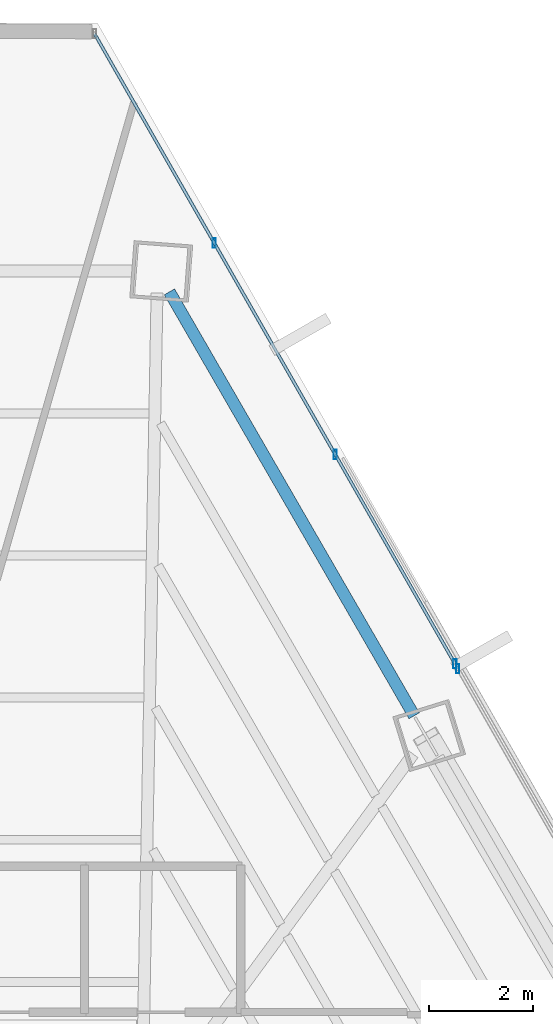
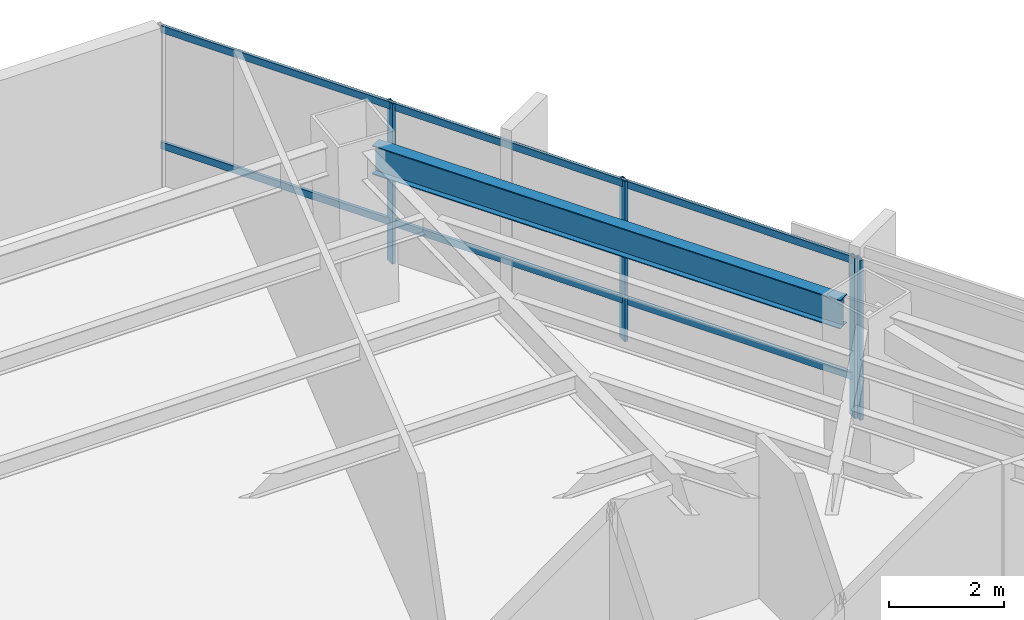
# One storey, part 28 of 35: 6 members, 1 beam, 2 elements without a shape of their own.
"""IFC4 building model written with IfcOpenShell, lengths in metres."""

from ifc_helpers import new_model, si_unit, direction, frame, origin, origin_2d, place, context, subcontext, project, spatial, hollow_rectangle, i_section, extrude, source, transform, mapped, material, material_profile, profile_set, type_object, type_shapes, element, aggregate, save


model = new_model("IFC4")

# Units and contexts
model_context = context("Model", 3, precision=1e-05, world=origin(), true_north=direction((0.0, 1.0)))
body_context = subcontext(model_context, "Body", "Model", "MODEL_VIEW")
ifc_project = project(units=[si_unit("LENGTHUNIT", "METRE"), si_unit("AREAUNIT", "SQUARE_METRE"), si_unit("VOLUMEUNIT", "CUBIC_METRE"), si_unit("PLANEANGLEUNIT", "RADIAN"), si_unit("MASSUNIT", "GRAM", prefix="KILO")], contexts=[model_context])

# Site, building, storey
site_placement = place(None, origin())
site = spatial("IfcSite", under=ifc_project, at=site_placement, CompositionType="ELEMENT")
building_placement = place(site_placement, origin())
building = spatial("IfcBuilding", under=site, at=building_placement, Name="Caelisora Broadcast Tower", CompositionType="ELEMENT")
storey_placement = place(building_placement, frame((0.0, 0.0, 87.14990234375)))
storey = spatial("IfcBuildingStorey", under=building, at=storey_placement, Name="L22", CompositionType="ELEMENT", Elevation=87.14990234375)

# Beam
ifc_material_1 = material(Name="Steel Grade 350 (AS/NZS 3679.1)", Category="steel")
ifc_material_profile_1 = material_profile(ifc_material_1, i_section(OverallWidth=0.22900390625, OverallDepth=0.611572265625, WebThickness=0.011962890625, FlangeThickness=0.01953125, at=origin_2d()), Name="Steel Grade 350 (AS/NZS 3679.1)")
ifc_profile_set_1 = profile_set([ifc_material_profile_1], Name="Steel Grade 350 (AS/NZS 3679.1)")
beam_type = type_object("IfcBeamType", Name="PG03", PredefinedType="BEAM", material=ifc_profile_set_1)
shared_shape_1 = source(origin(), body_context, "Body", "SweptSolid", [
    extrude(i_section(OverallWidth=0.22900390625, OverallDepth=0.611572265625, WebThickness=0.011962890625, FlangeThickness=0.01953125, at=origin_2d()), origin(), (0.0, 0.0, 1.0), 9.40234375),
])
type_shapes(beam_type, [shared_shape_1])
beam_placement = place(storey_placement, frame((50.73291015625, 37.84228515625, 3.09423828125), z_axis=(-0.500004164094, 0.86602299963, 0.0), x_axis=(-0.86602299963, -0.500004164094, 0.0)))
element("IfcBeam", 1, at=beam_placement, inside=storey, type_object=beam_type, Name="L22 beam PG03", PredefinedType="BEAM", context=body_context, shape_type="MappedRepresentation", body=[
    mapped(shared_shape_1, transform((0.0, 0.0, 0.0), scale=1.0)),
])

# Curtain wall, members
ifc_material_2 = material(Name="Unitised Aluminium and Low-E Glass Curtain Wall", Category="glass")
curtain_wall_type_1 = type_object("IfcCurtainWallType", Name="CW-Z2", PredefinedType="NOTDEFINED", material=ifc_material_2)
curtain_wall_1_placement = place(storey_placement, origin())
curtain_wall_1 = element("IfcCurtainWall", 2, at=curtain_wall_1_placement, inside=storey, type_object=curtain_wall_type_1, Name="L22 curtain wall CW-Z2", PredefinedType="NOTDEFINED")
ifc_material_3 = material(Name="Aluminium 6063-T6 Anodised Terracotta Bronze", Category="aluminium")
ifc_material_profile_2 = material_profile(ifc_material_3, hollow_rectangle(XDim=0.06494140625, YDim=0.179931640625, WallThickness=0.00341796875, at=origin_2d()), Name="Aluminium 6063-T6 Anodised Terracotta Bronze")
ifc_profile_set_2 = profile_set([ifc_material_profile_2], Name="Aluminium 6063-T6 Anodised Terracotta Bronze")
member_type_1 = type_object("IfcMemberType", Name="CWM-02", PredefinedType="MULLION", material=ifc_profile_set_2)
shared_shape_2 = source(origin(), body_context, "Body", "SweptSolid", [
    extrude(hollow_rectangle(XDim=0.06494140625, YDim=0.179931640625, WallThickness=0.00341796875, at=origin_2d()), origin(), (0.0, 0.0, 1.0), 3.400146484375),
])
type_shapes(member_type_1, [shared_shape_2])
member_1_placement = place(storey_placement, frame((46.893798828125, 46.9228515625, 0.0), z_axis=(0.0, 0.0, 1.0), x_axis=(1.0, 0.0, 0.0)))
member_1 = element("IfcMember", 3, at=member_1_placement, type_object=member_type_1, Name="L22-CW-B01 mullion #1", PredefinedType="MULLION", context=body_context, shape_type="MappedRepresentation", body=[
    mapped(shared_shape_2, transform((0.0, 0.0, 0.0), scale=1.0)),
])
member_2_placement = place(storey_placement, frame((49.217529296875, 42.86083984375, 0.0), z_axis=(0.0, 0.0, 1.0), x_axis=(1.0, 0.0, 0.0)))
member_2 = element("IfcMember", 4, at=member_2_placement, type_object=member_type_1, Name="L22-CW-B01 mullion #2", PredefinedType="MULLION", context=body_context, shape_type="MappedRepresentation", body=[
    mapped(shared_shape_2, transform((0.0, 0.0, 0.0), scale=1.0)),
])
member_3_placement = place(storey_placement, frame((51.5166015625, 38.842041015625, 0.0), z_axis=(0.0, 0.0, 1.0), x_axis=(1.0, 0.0, 0.0)))
member_3 = element("IfcMember", 5, at=member_3_placement, type_object=member_type_1, Name="L22-CW-B01 mullion #3", PredefinedType="MULLION", context=body_context, shape_type="MappedRepresentation", body=[
    mapped(shared_shape_2, transform((0.0, 0.0, 0.0), scale=1.0)),
])

# Curtain wall, member
ifc_material_4 = material(Name="Unitised Aluminium Insulated Shadow-Box Spandrel Curtain Wall", Category="aluminium")
curtain_wall_type_2 = type_object("IfcCurtainWallType", Name="CW-SP1", PredefinedType="NOTDEFINED", material=ifc_material_4)
curtain_wall_2_placement = place(storey_placement, origin())
curtain_wall_2 = element("IfcCurtainWall", 6, at=curtain_wall_2_placement, inside=storey, type_object=curtain_wall_type_2, Name="L22 curtain wall CW-SP1", PredefinedType="NOTDEFINED")
member_4_placement = place(storey_placement, frame((51.571044921875, 38.74658203125, 0.0), z_axis=(0.0, 0.0, 1.0), x_axis=(1.0, 0.0, 0.0)))
member_4 = element("IfcMember", 7, at=member_4_placement, type_object=member_type_1, Name="L22-CW-B02 mullion #0", PredefinedType="MULLION", context=body_context, shape_type="MappedRepresentation", body=[
    mapped(shared_shape_2, transform((0.0, 0.0, 0.0), scale=1.0)),
])
aggregate(curtain_wall_2, [member_4])

# Member
ifc_material_profile_3 = material_profile(ifc_material_3, hollow_rectangle(XDim=0.06005859375, YDim=0.14990234375, WallThickness=0.00341796875, at=origin_2d()), Name="Aluminium 6063-T6 Anodised Terracotta Bronze")
ifc_profile_set_3 = profile_set([ifc_material_profile_3], Name="Aluminium 6063-T6 Anodised Terracotta Bronze")
member_type_2 = type_object("IfcMemberType", Name="CWT-02", PredefinedType="USERDEFINED", material=ifc_profile_set_3)
shared_shape_3 = source(origin(), body_context, "Body", "SweptSolid", [
    extrude(hollow_rectangle(XDim=0.06005859375, YDim=0.14990234375, WallThickness=0.00341796875, at=origin_2d()), origin(), (0.0, 0.0, 1.0), 13.939697265625),
])
type_shapes(member_type_2, [shared_shape_3])
member_5_placement = place(storey_placement, frame((44.5947265625, 50.941650390625, 0.85009765625), z_axis=(0.49656137497, -0.868001613413, 0.0), x_axis=(0.868001613413, 0.49656137497, 0.0)))
member_5 = element("IfcMember", 8, at=member_5_placement, type_object=member_type_2, Name="L22-CW-B01 transom #1", ObjectType="TRANSOM", PredefinedType="USERDEFINED", context=body_context, shape_type="MappedRepresentation", body=[
    mapped(shared_shape_3, transform((0.0, 0.0, 0.0), scale=1.0)),
])

member_6_placement = place(storey_placement, frame((44.5947265625, 50.941650390625, 3.320068359375), z_axis=(0.49656137497, -0.868001613413, 0.0), x_axis=(0.868001613413, 0.49656137497, 0.0)))
member_6 = element("IfcMember", 9, at=member_6_placement, type_object=member_type_2, Name="L22-CW-B01 transom #2", ObjectType="TRANSOM", PredefinedType="USERDEFINED", context=body_context, shape_type="MappedRepresentation", body=[
    mapped(shared_shape_3, transform((0.0, 0.0, 0.0), scale=1.0)),
])

aggregate(curtain_wall_1, [member_1, member_2, member_3, member_5, member_6])

save(model, "model.ifc")
